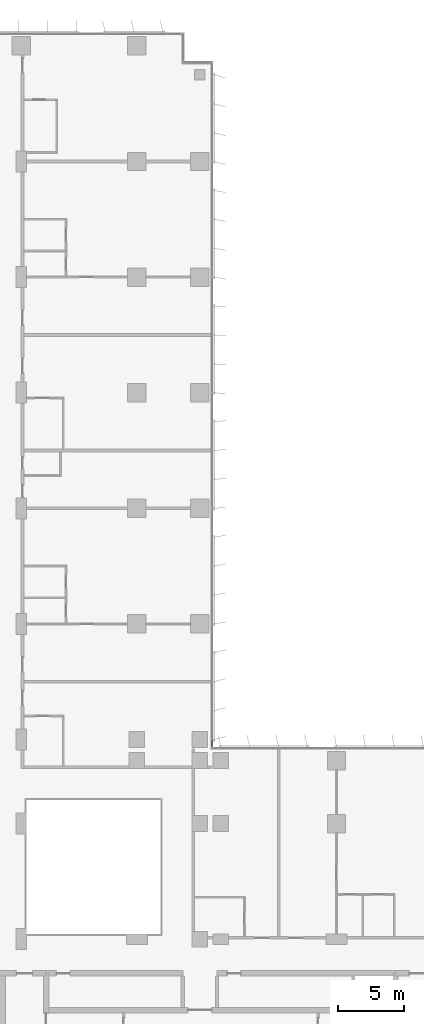
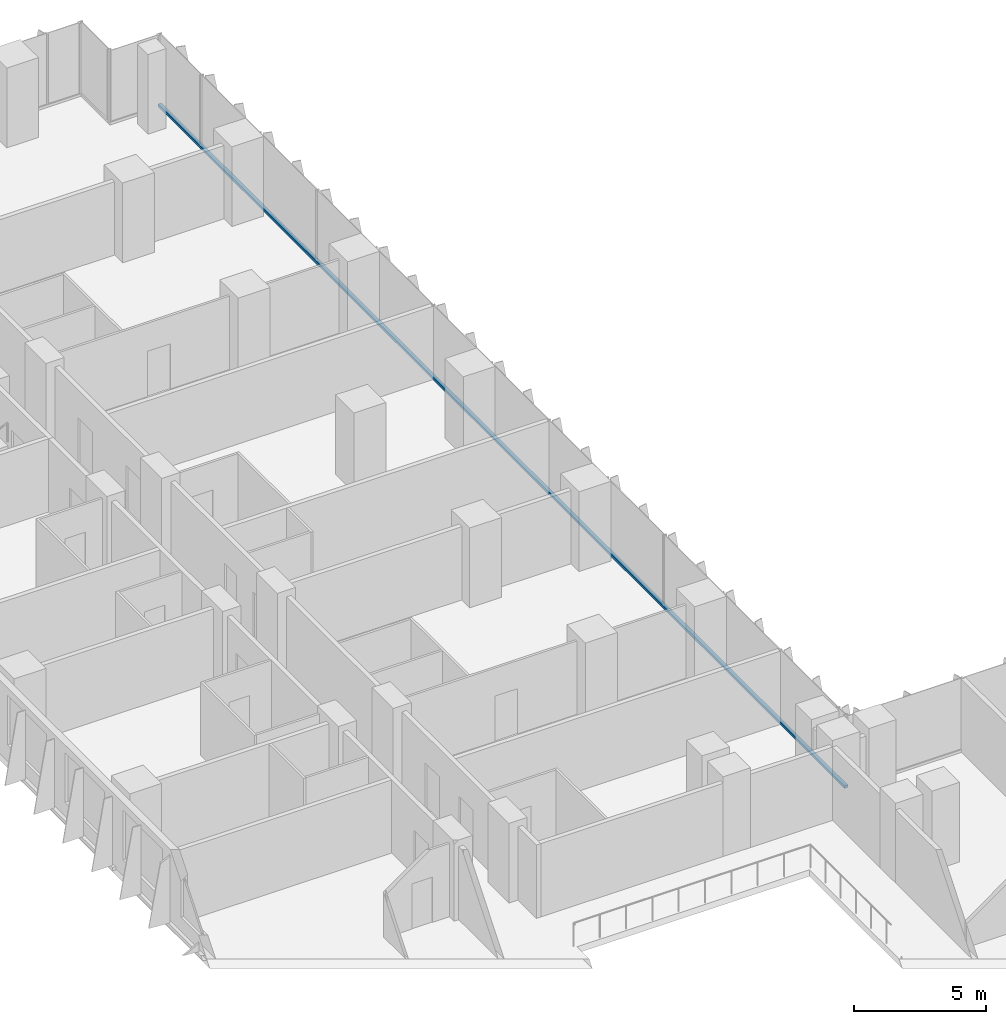
# One storey, part 6 of 24: 1 member, 1 element without a shape of its own.
"""IFC4 building model written with IfcOpenShell, lengths in metres."""

from ifc_helpers import new_model, si_unit, direction, frame, origin, origin_2d, place, context, subcontext, project, spatial, rectangle, extrude, material, material_profile, profile_set, type_object, element, aggregate, save


model = new_model("IFC4")

# Units and contexts
model_context = context("Model", 3, precision=1e-05, world=origin(), true_north=direction((0.0, 1.0)))
body_context = subcontext(model_context, "Body", "Model", "MODEL_VIEW")
ifc_project = project(units=[si_unit("LENGTHUNIT", "METRE"), si_unit("AREAUNIT", "SQUARE_METRE"), si_unit("VOLUMEUNIT", "CUBIC_METRE"), si_unit("PLANEANGLEUNIT", "RADIAN"), si_unit("MASSUNIT", "GRAM", prefix="KILO")], contexts=[model_context])

# Site, building, storey
site_placement = place(None, origin())
site = spatial("IfcSite", under=ifc_project, at=site_placement, CompositionType="ELEMENT")
building_placement = place(site_placement, origin())
building = spatial("IfcBuilding", under=site, at=building_placement, Name="Kemantara Hotel Tower", CompositionType="ELEMENT")
storey_placement = place(building_placement, frame((0.0, 0.0, 45.10009765625)))
storey = spatial("IfcBuildingStorey", under=building, at=storey_placement, Name="L09", CompositionType="ELEMENT", Elevation=45.10009765625)

# Curtain wall, member
ifc_material_1 = material(Name="Low-E tinted double insulated glass 36 mm", Category="glass")
curtain_wall_type = type_object("IfcCurtainWallType", Name="TOWER CURTAIN WALL, FRONT FACES", PredefinedType="USERDEFINED", material=ifc_material_1)
curtain_wall_placement = place(storey_placement, origin())
curtain_wall = element("IfcCurtainWall", 1, at=curtain_wall_placement, inside=storey, type_object=curtain_wall_type, Name="CW4 L09 T1-R08-1", ObjectType="TOWER CURTAIN WALL, FRONT FACES", PredefinedType="USERDEFINED")
ifc_material_2 = material(Name="Aluminium 6063-T6 bronze anodised", Category="aluminium")
ifc_material_profile = material_profile(ifc_material_2, rectangle(XDim=0.14990234375, YDim=0.1201171875, at=origin_2d()), Name="TOWER CURTAIN WALL, FRONT FACES TRANSOM")
ifc_profile_set = profile_set([ifc_material_profile], Name="Aluminium 6063-T6 bronze anodised")
member_type = type_object("IfcMemberType", Name="TOWER CURTAIN WALL, FRONT FACES TRANSOM", PredefinedType="USERDEFINED", material=ifc_profile_set)
member_placement = place(storey_placement, frame((26.72509765625, 26.800048828125, 0.059814453125), z_axis=(0.0, 1.0, 0.0), x_axis=(-1.0, 0.0, 0.0)))
member = element("IfcMember", 2, at=member_placement, type_object=member_type, Name="CW4 sill transom T1-R08-1", ObjectType="TRANSOM", PredefinedType="USERDEFINED", context=body_context, shape_type="SweptSolid", body=[
    extrude(rectangle(XDim=0.14990234375, YDim=0.1201171875, at=origin_2d()), origin(), (0.0, 0.0, 1.0), 52.199951171875),
])
aggregate(curtain_wall, [member])

save(model, "model.ifc")
